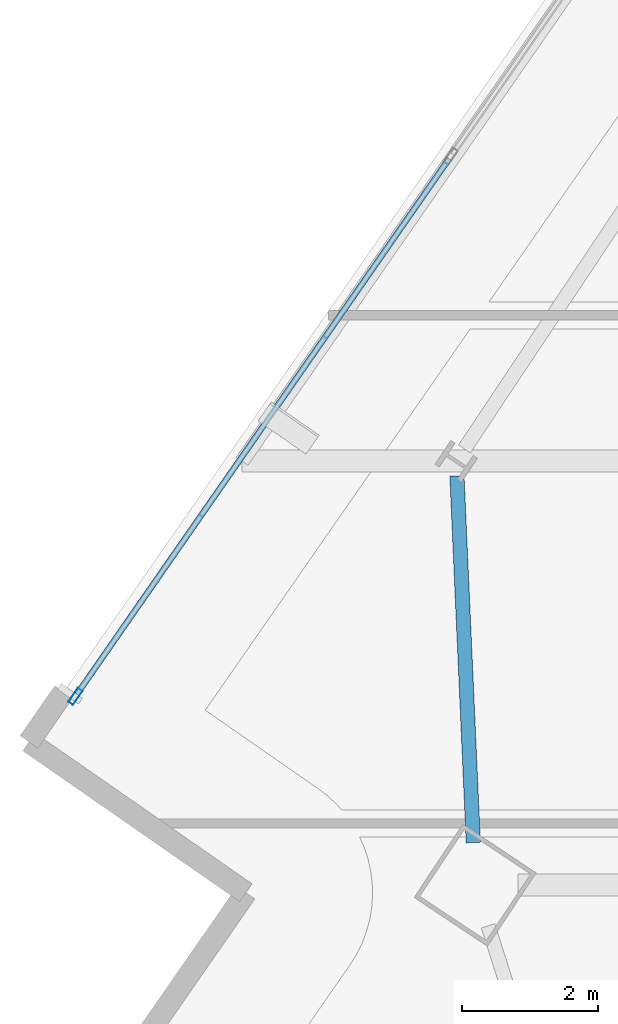
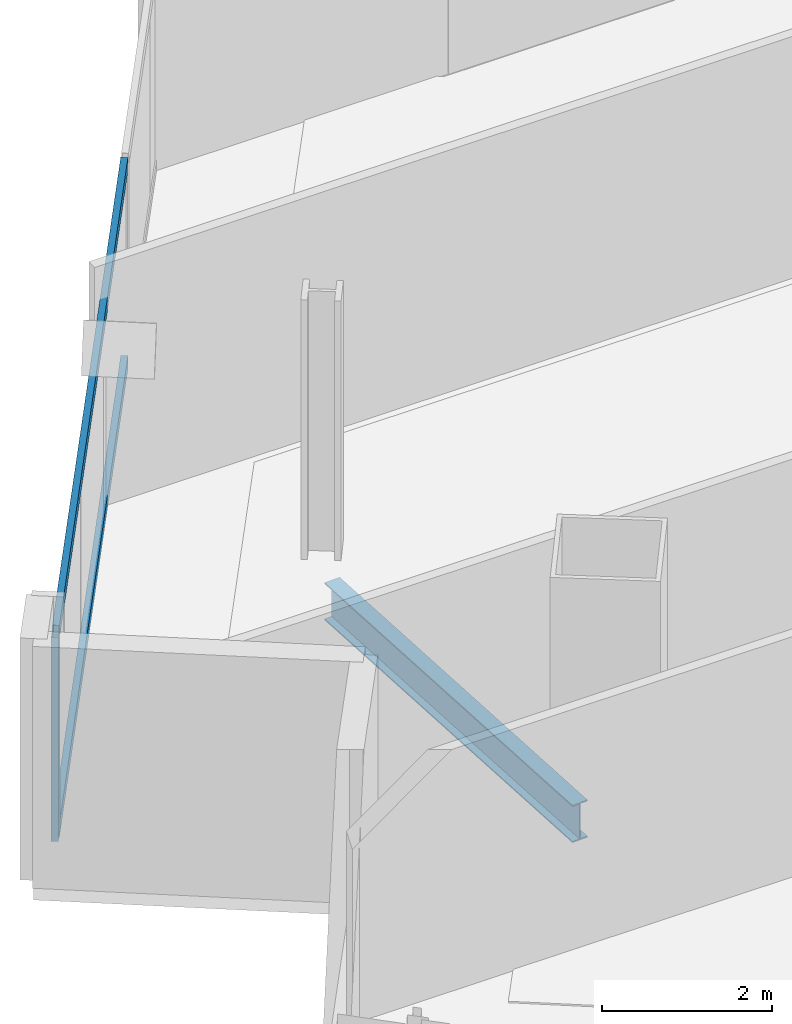
# One storey, part 6 of 30: 3 members, 1 beam, 1 element without a shape of its own.
"""IFC4 building model written with IfcOpenShell, lengths in metres."""

from ifc_helpers import new_model, si_unit, direction, frame, origin, origin_2d, place, context, subcontext, project, spatial, hollow_rectangle, i_section, extrude, material, material_profile, profile_set, type_object, element, aggregate, save


model = new_model("IFC4")

# Units and contexts
model_context = context("Model", 3, precision=1e-05, world=origin(), true_north=direction((0.0, 1.0)))
body_context = subcontext(model_context, "Body", "Model", "MODEL_VIEW")
ifc_project = project(units=[si_unit("LENGTHUNIT", "METRE"), si_unit("AREAUNIT", "SQUARE_METRE"), si_unit("VOLUMEUNIT", "CUBIC_METRE"), si_unit("PLANEANGLEUNIT", "RADIAN"), si_unit("MASSUNIT", "GRAM", prefix="KILO")], contexts=[model_context])

# Site, building, storey
site_placement = place(None, origin())
site = spatial("IfcSite", under=ifc_project, at=site_placement, CompositionType="ELEMENT")
building_placement = place(site_placement, origin())
building = spatial("IfcBuilding", under=site, at=building_placement, Name="Haldenkirk Collegiate Tower", CompositionType="ELEMENT")
storey_placement = place(building_placement, frame((0.0, 0.0, 213.449951171875)))
storey = spatial("IfcBuildingStorey", under=building, at=storey_placement, Name="L53", CompositionType="ELEMENT", Elevation=213.449951171875)

# Beam
ifc_material_1 = material(Name="Steel ASTM A992 Grade 50", Category="steel")
ifc_material_profile_1 = material_profile(ifc_material_1, i_section(OverallWidth=0.2099609375, OverallDepth=0.537109375, WebThickness=0.010986328125, FlangeThickness=0.017333984375, at=origin_2d()), Name="W21X68")
ifc_profile_set_1 = profile_set([ifc_material_profile_1], Name="Steel ASTM A992 Grade 50")
beam_type = type_object("IfcBeamType", Name="BM-SPANDREL-W21X68", PredefinedType="SPANDREL", material=ifc_profile_set_1)
beam_placement = place(storey_placement, frame((12.034912109375, 26.13037109375, -0.54833984375), z_axis=(0.044620526426, -0.999004008311, 0.0), x_axis=(0.999004008311, 0.044620526426, 0.0)))
element("IfcBeam", 1, at=beam_placement, inside=storey, type_object=beam_type, Name="L53 perimeter spandrel beam 12", PredefinedType="SPANDREL", context=body_context, shape_type="SweptSolid", body=[
    extrude(i_section(OverallWidth=0.2099609375, OverallDepth=0.537109375, WebThickness=0.010986328125, FlangeThickness=0.017333984375, at=origin_2d()), origin(), (0.0, 0.0, 1.0), 5.416748046875),
])

# Curtain wall, members
ifc_material_2 = material(Name="Anodised architectural bronze aluminium", Category="aluminium")
curtain_wall_type = type_object("IfcCurtainWallType", Name="CW-SYS1B-CONVEX-HI", PredefinedType="USERDEFINED", material=ifc_material_2)
curtain_wall_placement = place(storey_placement, origin())
curtain_wall = element("IfcCurtainWall", 2, at=curtain_wall_placement, inside=storey, type_object=curtain_wall_type, Name="L53 Upper tower high-wind convex bronze unitised curtain wall", ObjectType="UNITISED CURTAIN WALL", PredefinedType="USERDEFINED")
ifc_material_profile_2 = material_profile(ifc_material_2, hollow_rectangle(XDim=0.0849609375, YDim=0.25, WallThickness=0.0048828125, at=origin_2d()), Name="CW-MUL-1B")
ifc_profile_set_2 = profile_set([ifc_material_profile_2], Name="Anodised architectural bronze aluminium")
member_type_1 = type_object("IfcMemberType", Name="CW-MUL-1B", PredefinedType="MULLION", material=ifc_profile_set_2)
member_1_placement = place(storey_placement, frame((6.403076171875, 22.875, 0.0), z_axis=(0.0, 0.0, 1.0), x_axis=(-0.82114819766, 0.570715023002, 0.0)))
member_1 = element("IfcMember", 3, at=member_1_placement, type_object=member_type_1, Name="CW-1B mullion 1", PredefinedType="MULLION", context=body_context, shape_type="SweptSolid", body=[
    extrude(hollow_rectangle(XDim=0.0849609375, YDim=0.25, WallThickness=0.0048828125, at=origin_2d()), origin(), (0.0, 0.0, 1.0), 2.927978515625),
])
ifc_material_profile_3 = material_profile(ifc_material_2, hollow_rectangle(XDim=0.0849609375, YDim=0.199951171875, WallThickness=0.0048828125, at=origin_2d()), Name="CW-TRN-1B")
ifc_profile_set_3 = profile_set([ifc_material_profile_3], Name="Anodised architectural bronze aluminium")
member_type_2 = type_object("IfcMemberType", Name="CW-TRN-1B", PredefinedType="USERDEFINED", material=ifc_profile_set_3)
member_2_placement = place(storey_placement, frame((6.42724609375, 22.909912109375, 0.04248046875), z_axis=(0.57072099313, 0.821144048265, 0.0), x_axis=(-0.821144048265, 0.57072099313, 0.0)))
member_2 = element("IfcMember", 4, at=member_2_placement, type_object=member_type_2, Name="CW-1B transom 1.1", ObjectType="TRANSOM", PredefinedType="USERDEFINED", context=body_context, shape_type="SweptSolid", body=[
    extrude(hollow_rectangle(XDim=0.0849609375, YDim=0.199951171875, WallThickness=0.0048828125, at=origin_2d()), origin(), (0.0, 0.0, 1.0), 9.622314453125),
])
member_3_placement = place(storey_placement, frame((6.42724609375, 22.909912109375, 2.885498046875), z_axis=(0.57072099313, 0.821144048265, 0.0), x_axis=(-0.821144048265, 0.57072099313, 0.0)))
member_3 = element("IfcMember", 5, at=member_3_placement, type_object=member_type_2, Name="CW-1B transom 1.2", ObjectType="TRANSOM", PredefinedType="USERDEFINED", context=body_context, shape_type="SweptSolid", body=[
    extrude(hollow_rectangle(XDim=0.0849609375, YDim=0.199951171875, WallThickness=0.0048828125, at=origin_2d()), origin(), (0.0, 0.0, 1.0), 9.622314453125),
])
aggregate(curtain_wall, [member_1, member_2, member_3])

save(model, "model.ifc")
